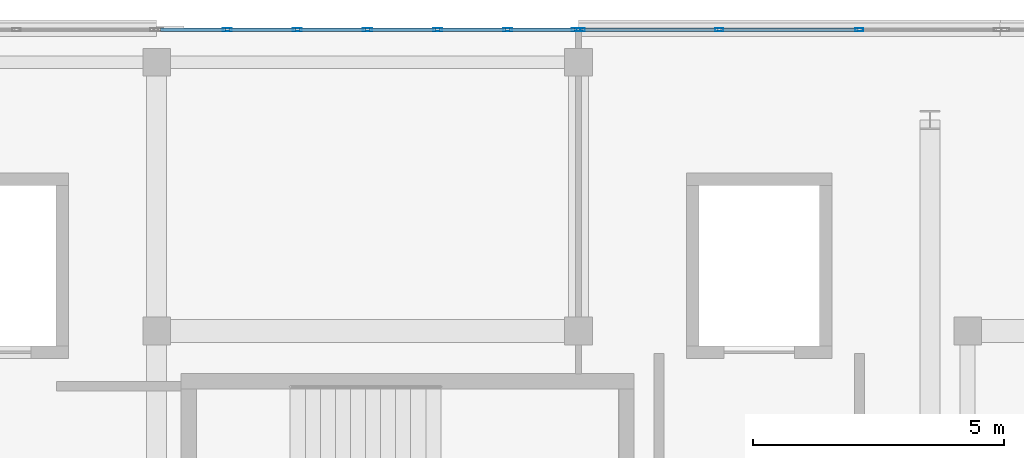
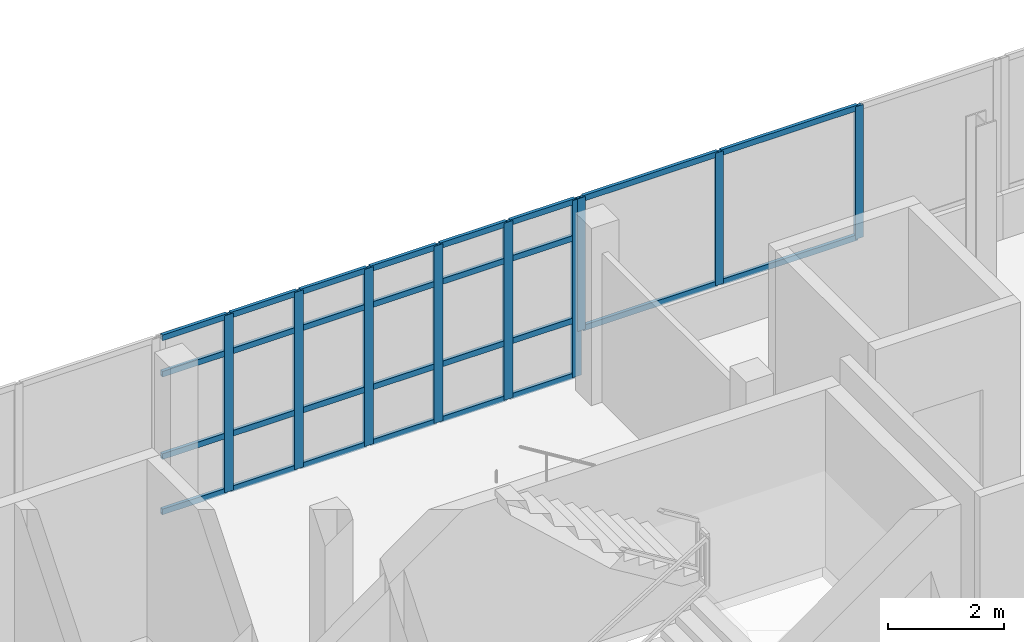
# One storey, part 43 of 67: 37 members, 2 elements without a shape of their own.
"""IFC4 building model written with IfcOpenShell, lengths in metres."""

from ifc_helpers import new_model, si_unit, direction, frame, origin, origin_2d, place, context, subcontext, project, spatial, hollow_rectangle, extrude, material, material_profile, profile_set, type_object, element, aggregate, save


model = new_model("IFC4")

# Units and contexts
model_context = context("Model", 3, precision=1e-05, world=origin(), true_north=direction((0.0, 1.0)))
body_context = subcontext(model_context, "Body", "Model", "MODEL_VIEW")
ifc_project = project(units=[si_unit("LENGTHUNIT", "METRE"), si_unit("AREAUNIT", "SQUARE_METRE"), si_unit("VOLUMEUNIT", "CUBIC_METRE"), si_unit("PLANEANGLEUNIT", "RADIAN"), si_unit("MASSUNIT", "GRAM", prefix="KILO")], contexts=[model_context])

# Site, building, storey
site_placement = place(None, origin())
site = spatial("IfcSite", under=ifc_project, at=site_placement, CompositionType="ELEMENT")
building_placement = place(site_placement, origin())
building = spatial("IfcBuilding", under=site, at=building_placement, Name="Selatvlak General Hospital", CompositionType="ELEMENT")
storey_placement = place(building_placement, frame((0.0, 0.0, 35.39990234375)))
storey = spatial("IfcBuildingStorey", under=building, at=storey_placement, Name="L08", CompositionType="ELEMENT", Elevation=35.39990234375)

# Curtain wall, members
ifc_material_1 = material(Name="Solar-control Low-E double glazing", Category="glass")
curtain_wall_type_1 = type_object("IfcCurtainWallType", Name="CW-CW-01", PredefinedType="USERDEFINED", material=ifc_material_1)
curtain_wall_1_placement = place(storey_placement, origin())
curtain_wall_1 = element("IfcCurtainWall", 1, at=curtain_wall_1_placement, inside=storey, type_object=curtain_wall_type_1, Name="Glazed facade curtain wall CW-L08-0696", ObjectType="UNITISED CURTAIN WALL", PredefinedType="USERDEFINED")
ifc_material_2 = material(Name="Dark anodised aluminium mullion", Category="aluminium")
ifc_material_profile_1 = material_profile(ifc_material_2, hollow_rectangle(XDim=0.06494140625, YDim=0.159912109375, WallThickness=0.00390625, at=origin_2d()), Name="AL-MUL 65x160x4")
ifc_profile_set_1 = profile_set([ifc_material_profile_1], Name="Dark anodised aluminium mullion")
member_type_1 = type_object("IfcMemberType", Name="CWM-01", PredefinedType="MULLION", material=ifc_profile_set_1)
member_1_placement = place(storey_placement, frame((140.446533203125, 120.0, 0.940185546875), z_axis=(0.0, 0.0, 1.0), x_axis=(0.0, 1.0, 0.0)))
member_1 = element("IfcMember", 2, at=member_1_placement, type_object=member_type_1, Name="CW-01 mullion 1", PredefinedType="MULLION", context=body_context, shape_type="SweptSolid", body=[
    extrude(hollow_rectangle(XDim=0.06494140625, YDim=0.159912109375, WallThickness=0.00390625, at=origin_2d()), origin(), (0.0, 0.0, 1.0), 2.7998046875),
])
member_2_placement = place(storey_placement, frame((143.2041015625, 120.0, 0.940185546875), z_axis=(0.0, 0.0, 1.0), x_axis=(0.0, 1.0, 0.0)))
member_2 = element("IfcMember", 3, at=member_2_placement, type_object=member_type_1, Name="CW-01 mullion 2", PredefinedType="MULLION", context=body_context, shape_type="SweptSolid", body=[
    extrude(hollow_rectangle(XDim=0.06494140625, YDim=0.159912109375, WallThickness=0.00390625, at=origin_2d()), origin(), (0.0, 0.0, 1.0), 2.7998046875),
])
member_3_placement = place(storey_placement, frame((145.993896484375, 120.0, 0.940185546875), z_axis=(0.0, 0.0, 1.0), x_axis=(0.0, 1.0, 0.0)))
member_3 = element("IfcMember", 4, at=member_3_placement, type_object=member_type_1, Name="CW-01 mullion 3", PredefinedType="MULLION", context=body_context, shape_type="SweptSolid", body=[
    extrude(hollow_rectangle(XDim=0.06494140625, YDim=0.159912109375, WallThickness=0.00390625, at=origin_2d()), origin(), (0.0, 0.0, 1.0), 2.7998046875),
])

curtain_wall_type_2 = type_object("IfcCurtainWallType", Name="CW-CW-04", PredefinedType="USERDEFINED", material=ifc_material_1)
curtain_wall_2_placement = place(storey_placement, origin())
curtain_wall_2 = element("IfcCurtainWall", 5, at=curtain_wall_2_placement, inside=storey, type_object=curtain_wall_type_2, Name="Glazed facade curtain wall CW-L08-0695", ObjectType="STICK GLAZING WALL", PredefinedType="USERDEFINED")
ifc_material_profile_2 = material_profile(ifc_material_2, hollow_rectangle(XDim=0.06494140625, YDim=0.179931640625, WallThickness=0.00439453125, at=origin_2d()), Name="AL-MUL 65x180x4.5")
ifc_profile_set_2 = profile_set([ifc_material_profile_2], Name="Dark anodised aluminium mullion")
member_type_2 = type_object("IfcMemberType", Name="CWM-02", PredefinedType="MULLION", material=ifc_profile_set_2)
member_4_placement = place(storey_placement, frame((133.408935546875, 120.0, 0.0), z_axis=(0.0, 0.0, 1.0), x_axis=(0.0, 1.0, 0.0)))
member_4 = element("IfcMember", 6, at=member_4_placement, type_object=member_type_2, Name="CW-04 mullion 2", PredefinedType="MULLION", context=body_context, shape_type="SweptSolid", body=[
    extrude(hollow_rectangle(XDim=0.06494140625, YDim=0.179931640625, WallThickness=0.00439453125, at=origin_2d()), origin(), (0.0, 0.0, 1.0), 3.739990234375),
])
member_5_placement = place(storey_placement, frame((134.803955078125, 120.0, 0.0), z_axis=(0.0, 0.0, 1.0), x_axis=(0.0, 1.0, 0.0)))
member_5 = element("IfcMember", 7, at=member_5_placement, type_object=member_type_2, Name="CW-04 mullion 3", PredefinedType="MULLION", context=body_context, shape_type="SweptSolid", body=[
    extrude(hollow_rectangle(XDim=0.06494140625, YDim=0.179931640625, WallThickness=0.00439453125, at=origin_2d()), origin(), (0.0, 0.0, 1.0), 3.739990234375),
])
member_6_placement = place(storey_placement, frame((136.198974609375, 120.0, 0.0), z_axis=(0.0, 0.0, 1.0), x_axis=(0.0, 1.0, 0.0)))
member_6 = element("IfcMember", 8, at=member_6_placement, type_object=member_type_2, Name="CW-04 mullion 4", PredefinedType="MULLION", context=body_context, shape_type="SweptSolid", body=[
    extrude(hollow_rectangle(XDim=0.06494140625, YDim=0.179931640625, WallThickness=0.00439453125, at=origin_2d()), origin(), (0.0, 0.0, 1.0), 3.739990234375),
])
member_7_placement = place(storey_placement, frame((137.593994140625, 120.0, 0.0), z_axis=(0.0, 0.0, 1.0), x_axis=(0.0, 1.0, 0.0)))
member_7 = element("IfcMember", 9, at=member_7_placement, type_object=member_type_2, Name="CW-04 mullion 5", PredefinedType="MULLION", context=body_context, shape_type="SweptSolid", body=[
    extrude(hollow_rectangle(XDim=0.06494140625, YDim=0.179931640625, WallThickness=0.00439453125, at=origin_2d()), origin(), (0.0, 0.0, 1.0), 3.739990234375),
])
member_8_placement = place(storey_placement, frame((138.989013671875, 120.0, 0.0), z_axis=(0.0, 0.0, 1.0), x_axis=(0.0, 1.0, 0.0)))
member_8 = element("IfcMember", 10, at=member_8_placement, type_object=member_type_2, Name="CW-04 mullion 6", PredefinedType="MULLION", context=body_context, shape_type="SweptSolid", body=[
    extrude(hollow_rectangle(XDim=0.06494140625, YDim=0.179931640625, WallThickness=0.00439453125, at=origin_2d()), origin(), (0.0, 0.0, 1.0), 3.739990234375),
])
member_9_placement = place(storey_placement, frame((140.3515625, 120.0, 0.0), z_axis=(0.0, 0.0, 1.0), x_axis=(0.0, 1.0, 0.0)))
member_9 = element("IfcMember", 11, at=member_9_placement, type_object=member_type_2, Name="CW-04 mullion 7", PredefinedType="MULLION", context=body_context, shape_type="SweptSolid", body=[
    extrude(hollow_rectangle(XDim=0.06494140625, YDim=0.179931640625, WallThickness=0.00439453125, at=origin_2d()), origin(), (0.0, 0.0, 1.0), 3.739990234375),
])
ifc_material_profile_3 = material_profile(ifc_material_2, hollow_rectangle(XDim=0.06494140625, YDim=0.1201171875, WallThickness=0.00390625, at=origin_2d()), Name="AL-TRN 65x120x4")
ifc_profile_set_3 = profile_set([ifc_material_profile_3], Name="Dark anodised aluminium mullion")
member_type_3 = type_object("IfcMemberType", Name="CWT-01", PredefinedType="USERDEFINED", material=ifc_profile_set_3)
member_10_placement = place(storey_placement, frame((132.0791015625, 120.0, 0.03271484375), z_axis=(1.0, 0.0, 0.0), x_axis=(0.0, 1.0, 0.0)))
member_10 = element("IfcMember", 12, at=member_10_placement, type_object=member_type_3, Name="CW-04 transom 1.1", ObjectType="TRANSOM", PredefinedType="USERDEFINED", context=body_context, shape_type="SweptSolid", body=[
    extrude(hollow_rectangle(XDim=0.06494140625, YDim=0.1201171875, WallThickness=0.00390625, at=origin_2d()), origin(), (0.0, 0.0, 1.0), 1.29736328125),
])
member_11_placement = place(storey_placement, frame((132.0791015625, 120.0, 1.2001953125), z_axis=(1.0, 0.0, 0.0), x_axis=(0.0, 1.0, 0.0)))
member_11 = element("IfcMember", 13, at=member_11_placement, type_object=member_type_3, Name="CW-04 transom 1.2", ObjectType="TRANSOM", PredefinedType="USERDEFINED", context=body_context, shape_type="SweptSolid", body=[
    extrude(hollow_rectangle(XDim=0.06494140625, YDim=0.1201171875, WallThickness=0.00390625, at=origin_2d()), origin(), (0.0, 0.0, 1.0), 1.29736328125),
])
member_12_placement = place(storey_placement, frame((132.0791015625, 120.0, 2.940185546875), z_axis=(1.0, 0.0, 0.0), x_axis=(0.0, 1.0, 0.0)))
member_12 = element("IfcMember", 14, at=member_12_placement, type_object=member_type_3, Name="CW-04 transom 1.3", ObjectType="TRANSOM", PredefinedType="USERDEFINED", context=body_context, shape_type="SweptSolid", body=[
    extrude(hollow_rectangle(XDim=0.06494140625, YDim=0.1201171875, WallThickness=0.00390625, at=origin_2d()), origin(), (0.0, 0.0, 1.0), 1.29736328125),
])
member_13_placement = place(storey_placement, frame((132.0791015625, 120.0, 3.70751953125), z_axis=(1.0, 0.0, 0.0), x_axis=(0.0, 1.0, 0.0)))
member_13 = element("IfcMember", 15, at=member_13_placement, type_object=member_type_3, Name="CW-04 transom 1.4", ObjectType="TRANSOM", PredefinedType="USERDEFINED", context=body_context, shape_type="SweptSolid", body=[
    extrude(hollow_rectangle(XDim=0.06494140625, YDim=0.1201171875, WallThickness=0.00390625, at=origin_2d()), origin(), (0.0, 0.0, 1.0), 1.29736328125),
])
member_14_placement = place(storey_placement, frame((133.44140625, 120.0, 0.03271484375), z_axis=(1.0, 0.0, 0.0), x_axis=(0.0, 1.0, 0.0)))
member_14 = element("IfcMember", 16, at=member_14_placement, type_object=member_type_3, Name="CW-04 transom 2.1", ObjectType="TRANSOM", PredefinedType="USERDEFINED", context=body_context, shape_type="SweptSolid", body=[
    extrude(hollow_rectangle(XDim=0.06494140625, YDim=0.1201171875, WallThickness=0.00390625, at=origin_2d()), origin(), (0.0, 0.0, 1.0), 1.330078125),
])
member_15_placement = place(storey_placement, frame((133.44140625, 120.0, 1.2001953125), z_axis=(1.0, 0.0, 0.0), x_axis=(0.0, 1.0, 0.0)))
member_15 = element("IfcMember", 17, at=member_15_placement, type_object=member_type_3, Name="CW-04 transom 2.2", ObjectType="TRANSOM", PredefinedType="USERDEFINED", context=body_context, shape_type="SweptSolid", body=[
    extrude(hollow_rectangle(XDim=0.06494140625, YDim=0.1201171875, WallThickness=0.00390625, at=origin_2d()), origin(), (0.0, 0.0, 1.0), 1.330078125),
])
member_16_placement = place(storey_placement, frame((133.44140625, 120.0, 2.940185546875), z_axis=(1.0, 0.0, 0.0), x_axis=(0.0, 1.0, 0.0)))
member_16 = element("IfcMember", 18, at=member_16_placement, type_object=member_type_3, Name="CW-04 transom 2.3", ObjectType="TRANSOM", PredefinedType="USERDEFINED", context=body_context, shape_type="SweptSolid", body=[
    extrude(hollow_rectangle(XDim=0.06494140625, YDim=0.1201171875, WallThickness=0.00390625, at=origin_2d()), origin(), (0.0, 0.0, 1.0), 1.330078125),
])
member_17_placement = place(storey_placement, frame((133.44140625, 120.0, 3.70751953125), z_axis=(1.0, 0.0, 0.0), x_axis=(0.0, 1.0, 0.0)))
member_17 = element("IfcMember", 19, at=member_17_placement, type_object=member_type_3, Name="CW-04 transom 2.4", ObjectType="TRANSOM", PredefinedType="USERDEFINED", context=body_context, shape_type="SweptSolid", body=[
    extrude(hollow_rectangle(XDim=0.06494140625, YDim=0.1201171875, WallThickness=0.00390625, at=origin_2d()), origin(), (0.0, 0.0, 1.0), 1.330078125),
])
member_18_placement = place(storey_placement, frame((134.83642578125, 120.0, 0.03271484375), z_axis=(1.0, 0.0, 0.0), x_axis=(0.0, 1.0, 0.0)))
member_18 = element("IfcMember", 20, at=member_18_placement, type_object=member_type_3, Name="CW-04 transom 3.1", ObjectType="TRANSOM", PredefinedType="USERDEFINED", context=body_context, shape_type="SweptSolid", body=[
    extrude(hollow_rectangle(XDim=0.06494140625, YDim=0.1201171875, WallThickness=0.00390625, at=origin_2d()), origin(), (0.0, 0.0, 1.0), 1.330078125),
])
member_19_placement = place(storey_placement, frame((134.83642578125, 120.0, 1.2001953125), z_axis=(1.0, 0.0, 0.0), x_axis=(0.0, 1.0, 0.0)))
member_19 = element("IfcMember", 21, at=member_19_placement, type_object=member_type_3, Name="CW-04 transom 3.2", ObjectType="TRANSOM", PredefinedType="USERDEFINED", context=body_context, shape_type="SweptSolid", body=[
    extrude(hollow_rectangle(XDim=0.06494140625, YDim=0.1201171875, WallThickness=0.00390625, at=origin_2d()), origin(), (0.0, 0.0, 1.0), 1.330078125),
])
member_20_placement = place(storey_placement, frame((134.83642578125, 120.0, 2.940185546875), z_axis=(1.0, 0.0, 0.0), x_axis=(0.0, 1.0, 0.0)))
member_20 = element("IfcMember", 22, at=member_20_placement, type_object=member_type_3, Name="CW-04 transom 3.3", ObjectType="TRANSOM", PredefinedType="USERDEFINED", context=body_context, shape_type="SweptSolid", body=[
    extrude(hollow_rectangle(XDim=0.06494140625, YDim=0.1201171875, WallThickness=0.00390625, at=origin_2d()), origin(), (0.0, 0.0, 1.0), 1.330078125),
])
member_21_placement = place(storey_placement, frame((134.83642578125, 120.0, 3.70751953125), z_axis=(1.0, 0.0, 0.0), x_axis=(0.0, 1.0, 0.0)))
member_21 = element("IfcMember", 23, at=member_21_placement, type_object=member_type_3, Name="CW-04 transom 3.4", ObjectType="TRANSOM", PredefinedType="USERDEFINED", context=body_context, shape_type="SweptSolid", body=[
    extrude(hollow_rectangle(XDim=0.06494140625, YDim=0.1201171875, WallThickness=0.00390625, at=origin_2d()), origin(), (0.0, 0.0, 1.0), 1.330078125),
])
member_22_placement = place(storey_placement, frame((136.2314453125, 120.0, 0.03271484375), z_axis=(1.0, 0.0, 0.0), x_axis=(0.0, 1.0, 0.0)))
member_22 = element("IfcMember", 24, at=member_22_placement, type_object=member_type_3, Name="CW-04 transom 4.1", ObjectType="TRANSOM", PredefinedType="USERDEFINED", context=body_context, shape_type="SweptSolid", body=[
    extrude(hollow_rectangle(XDim=0.06494140625, YDim=0.1201171875, WallThickness=0.00390625, at=origin_2d()), origin(), (0.0, 0.0, 1.0), 1.330078125),
])
member_23_placement = place(storey_placement, frame((136.2314453125, 120.0, 1.2001953125), z_axis=(1.0, 0.0, 0.0), x_axis=(0.0, 1.0, 0.0)))
member_23 = element("IfcMember", 25, at=member_23_placement, type_object=member_type_3, Name="CW-04 transom 4.2", ObjectType="TRANSOM", PredefinedType="USERDEFINED", context=body_context, shape_type="SweptSolid", body=[
    extrude(hollow_rectangle(XDim=0.06494140625, YDim=0.1201171875, WallThickness=0.00390625, at=origin_2d()), origin(), (0.0, 0.0, 1.0), 1.330078125),
])
member_24_placement = place(storey_placement, frame((136.2314453125, 120.0, 2.940185546875), z_axis=(1.0, 0.0, 0.0), x_axis=(0.0, 1.0, 0.0)))
member_24 = element("IfcMember", 26, at=member_24_placement, type_object=member_type_3, Name="CW-04 transom 4.3", ObjectType="TRANSOM", PredefinedType="USERDEFINED", context=body_context, shape_type="SweptSolid", body=[
    extrude(hollow_rectangle(XDim=0.06494140625, YDim=0.1201171875, WallThickness=0.00390625, at=origin_2d()), origin(), (0.0, 0.0, 1.0), 1.330078125),
])
member_25_placement = place(storey_placement, frame((136.2314453125, 120.0, 3.70751953125), z_axis=(1.0, 0.0, 0.0), x_axis=(0.0, 1.0, 0.0)))
member_25 = element("IfcMember", 27, at=member_25_placement, type_object=member_type_3, Name="CW-04 transom 4.4", ObjectType="TRANSOM", PredefinedType="USERDEFINED", context=body_context, shape_type="SweptSolid", body=[
    extrude(hollow_rectangle(XDim=0.06494140625, YDim=0.1201171875, WallThickness=0.00390625, at=origin_2d()), origin(), (0.0, 0.0, 1.0), 1.330078125),
])
member_26_placement = place(storey_placement, frame((137.62646484375, 120.0, 0.03271484375), z_axis=(1.0, 0.0, 0.0), x_axis=(0.0, 1.0, 0.0)))
member_26 = element("IfcMember", 28, at=member_26_placement, type_object=member_type_3, Name="CW-04 transom 5.1", ObjectType="TRANSOM", PredefinedType="USERDEFINED", context=body_context, shape_type="SweptSolid", body=[
    extrude(hollow_rectangle(XDim=0.06494140625, YDim=0.1201171875, WallThickness=0.00390625, at=origin_2d()), origin(), (0.0, 0.0, 1.0), 1.330078125),
])
member_27_placement = place(storey_placement, frame((137.62646484375, 120.0, 1.2001953125), z_axis=(1.0, 0.0, 0.0), x_axis=(0.0, 1.0, 0.0)))
member_27 = element("IfcMember", 29, at=member_27_placement, type_object=member_type_3, Name="CW-04 transom 5.2", ObjectType="TRANSOM", PredefinedType="USERDEFINED", context=body_context, shape_type="SweptSolid", body=[
    extrude(hollow_rectangle(XDim=0.06494140625, YDim=0.1201171875, WallThickness=0.00390625, at=origin_2d()), origin(), (0.0, 0.0, 1.0), 1.330078125),
])
member_28_placement = place(storey_placement, frame((137.62646484375, 120.0, 2.940185546875), z_axis=(1.0, 0.0, 0.0), x_axis=(0.0, 1.0, 0.0)))
member_28 = element("IfcMember", 30, at=member_28_placement, type_object=member_type_3, Name="CW-04 transom 5.3", ObjectType="TRANSOM", PredefinedType="USERDEFINED", context=body_context, shape_type="SweptSolid", body=[
    extrude(hollow_rectangle(XDim=0.06494140625, YDim=0.1201171875, WallThickness=0.00390625, at=origin_2d()), origin(), (0.0, 0.0, 1.0), 1.330078125),
])
member_29_placement = place(storey_placement, frame((137.62646484375, 120.0, 3.70751953125), z_axis=(1.0, 0.0, 0.0), x_axis=(0.0, 1.0, 0.0)))
member_29 = element("IfcMember", 31, at=member_29_placement, type_object=member_type_3, Name="CW-04 transom 5.4", ObjectType="TRANSOM", PredefinedType="USERDEFINED", context=body_context, shape_type="SweptSolid", body=[
    extrude(hollow_rectangle(XDim=0.06494140625, YDim=0.1201171875, WallThickness=0.00390625, at=origin_2d()), origin(), (0.0, 0.0, 1.0), 1.330078125),
])
member_30_placement = place(storey_placement, frame((139.021484375, 120.0, 0.03271484375), z_axis=(1.0, 0.0, 0.0), x_axis=(0.0, 1.0, 0.0)))
member_30 = element("IfcMember", 32, at=member_30_placement, type_object=member_type_3, Name="CW-04 transom 6.1", ObjectType="TRANSOM", PredefinedType="USERDEFINED", context=body_context, shape_type="SweptSolid", body=[
    extrude(hollow_rectangle(XDim=0.06494140625, YDim=0.1201171875, WallThickness=0.00390625, at=origin_2d()), origin(), (0.0, 0.0, 1.0), 1.297607421875),
])
member_31_placement = place(storey_placement, frame((139.021484375, 120.0, 1.2001953125), z_axis=(1.0, 0.0, 0.0), x_axis=(0.0, 1.0, 0.0)))
member_31 = element("IfcMember", 33, at=member_31_placement, type_object=member_type_3, Name="CW-04 transom 6.2", ObjectType="TRANSOM", PredefinedType="USERDEFINED", context=body_context, shape_type="SweptSolid", body=[
    extrude(hollow_rectangle(XDim=0.06494140625, YDim=0.1201171875, WallThickness=0.00390625, at=origin_2d()), origin(), (0.0, 0.0, 1.0), 1.297607421875),
])
member_32_placement = place(storey_placement, frame((139.021484375, 120.0, 2.940185546875), z_axis=(1.0, 0.0, 0.0), x_axis=(0.0, 1.0, 0.0)))
member_32 = element("IfcMember", 34, at=member_32_placement, type_object=member_type_3, Name="CW-04 transom 6.3", ObjectType="TRANSOM", PredefinedType="USERDEFINED", context=body_context, shape_type="SweptSolid", body=[
    extrude(hollow_rectangle(XDim=0.06494140625, YDim=0.1201171875, WallThickness=0.00390625, at=origin_2d()), origin(), (0.0, 0.0, 1.0), 1.297607421875),
])
member_33_placement = place(storey_placement, frame((139.021484375, 120.0, 3.70751953125), z_axis=(1.0, 0.0, 0.0), x_axis=(0.0, 1.0, 0.0)))
member_33 = element("IfcMember", 35, at=member_33_placement, type_object=member_type_3, Name="CW-04 transom 6.4", ObjectType="TRANSOM", PredefinedType="USERDEFINED", context=body_context, shape_type="SweptSolid", body=[
    extrude(hollow_rectangle(XDim=0.06494140625, YDim=0.1201171875, WallThickness=0.00390625, at=origin_2d()), origin(), (0.0, 0.0, 1.0), 1.297607421875),
])
aggregate(curtain_wall_2, [member_4, member_5, member_6, member_7, member_8, member_9, member_10, member_11, member_12, member_13, member_14, member_15, member_16, member_17, member_18, member_19, member_20, member_21, member_22, member_23, member_24, member_25, member_26, member_27, member_28, member_29, member_30, member_31, member_32, member_33])

# Member
member_34_placement = place(storey_placement, frame((140.47900390625, 120.0, 0.97265625), z_axis=(1.0, 0.0, 0.0), x_axis=(0.0, 1.0, 0.0)))
member_34 = element("IfcMember", 36, at=member_34_placement, type_object=member_type_3, Name="CW-01 transom 1.1", ObjectType="TRANSOM", PredefinedType="USERDEFINED", context=body_context, shape_type="SweptSolid", body=[
    extrude(hollow_rectangle(XDim=0.06494140625, YDim=0.1201171875, WallThickness=0.00390625, at=origin_2d()), origin(), (0.0, 0.0, 1.0), 2.6923828125),
])

member_35_placement = place(storey_placement, frame((140.47900390625, 120.0, 3.70751953125), z_axis=(1.0, 0.0, 0.0), x_axis=(0.0, 1.0, 0.0)))
member_35 = element("IfcMember", 37, at=member_35_placement, type_object=member_type_3, Name="CW-01 transom 1.2", ObjectType="TRANSOM", PredefinedType="USERDEFINED", context=body_context, shape_type="SweptSolid", body=[
    extrude(hollow_rectangle(XDim=0.06494140625, YDim=0.1201171875, WallThickness=0.00390625, at=origin_2d()), origin(), (0.0, 0.0, 1.0), 2.6923828125),
])

member_36_placement = place(storey_placement, frame((143.236572265625, 120.0, 0.97265625), z_axis=(1.0, 0.0, 0.0), x_axis=(0.0, 1.0, 0.0)))
member_36 = element("IfcMember", 38, at=member_36_placement, type_object=member_type_3, Name="CW-01 transom 2.1", ObjectType="TRANSOM", PredefinedType="USERDEFINED", context=body_context, shape_type="SweptSolid", body=[
    extrude(hollow_rectangle(XDim=0.06494140625, YDim=0.1201171875, WallThickness=0.00390625, at=origin_2d()), origin(), (0.0, 0.0, 1.0), 2.724853515625),
])

member_37_placement = place(storey_placement, frame((143.236572265625, 120.0, 3.70751953125), z_axis=(1.0, 0.0, 0.0), x_axis=(0.0, 1.0, 0.0)))
member_37 = element("IfcMember", 39, at=member_37_placement, type_object=member_type_3, Name="CW-01 transom 2.2", ObjectType="TRANSOM", PredefinedType="USERDEFINED", context=body_context, shape_type="SweptSolid", body=[
    extrude(hollow_rectangle(XDim=0.06494140625, YDim=0.1201171875, WallThickness=0.00390625, at=origin_2d()), origin(), (0.0, 0.0, 1.0), 2.724853515625),
])

aggregate(curtain_wall_1, [member_1, member_2, member_3, member_34, member_35, member_36, member_37])

save(model, "model.ifc")
